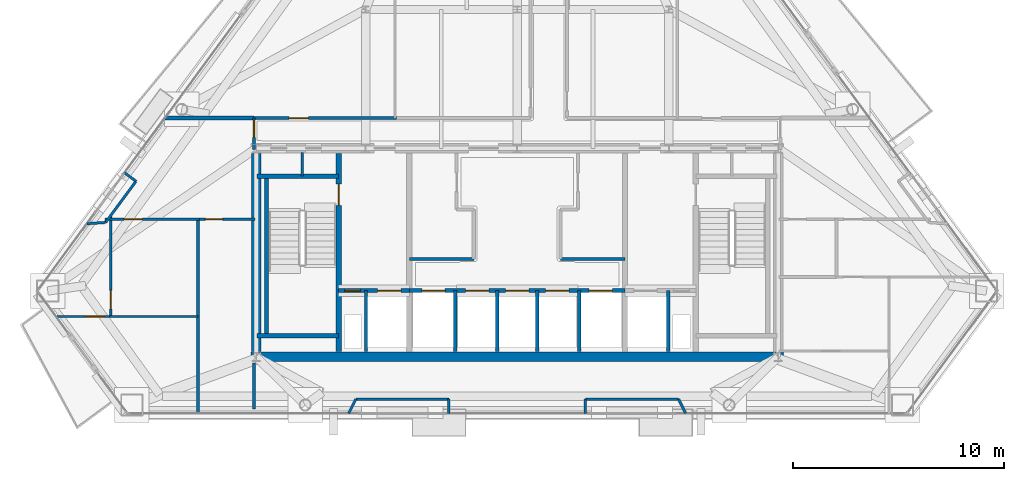
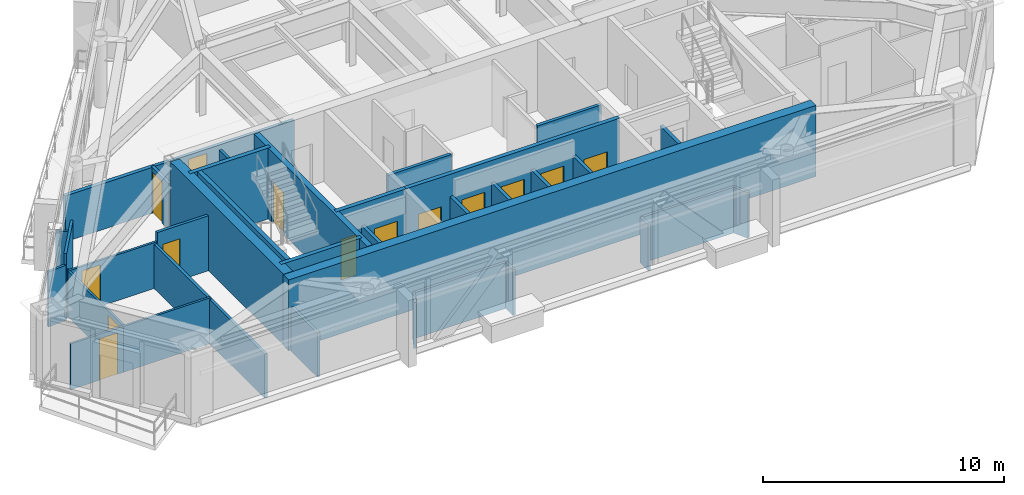
# One storey, part 7 of 12: 36 walls, 14 doors, 14 openings.
"""IFC4 building model written with IfcOpenShell, lengths in metres."""

from ifc_helpers import new_model, si_unit, direction, frame, frame_2d, origin, place, context, subcontext, project, spatial, rectangle, extrude, material, layer, layer_set, type_object, element, fill, save


model = new_model("IFC4")

# Units and contexts
model_context = context("Model", 3, precision=1e-05, world=origin(), true_north=direction((0.0, 1.0)))
body_context = subcontext(model_context, "Body", "Model", "MODEL_VIEW")
ifc_project = project(units=[si_unit("LENGTHUNIT", "METRE"), si_unit("AREAUNIT", "SQUARE_METRE"), si_unit("VOLUMEUNIT", "CUBIC_METRE"), si_unit("PLANEANGLEUNIT", "RADIAN"), si_unit("MASSUNIT", "GRAM", prefix="KILO")], contexts=[model_context])

# Site, building, storey
site_placement = place(None, origin())
site = spatial("IfcSite", under=ifc_project, at=site_placement, CompositionType="ELEMENT")
building_placement = place(site_placement, origin())
building = spatial("IfcBuilding", under=site, at=building_placement, Name="Talgorran Terracotta Tower", CompositionType="ELEMENT")
storey_placement = place(building_placement, frame((0.0, 0.0, 182.10009765625)))
storey = spatial("IfcBuildingStorey", under=building, at=storey_placement, Name="L47", CompositionType="ELEMENT", Elevation=182.10009765625)

# Walls
ifc_material_1 = material(Name="Concrete C50/60", Category="concrete")
ifc_layer_1 = layer(ifc_material_1, 0.199951171875, Name="WT_CORE_200")
ifc_layer_set_1 = layer_set([ifc_layer_1], Name="Concrete C50/60")
wall_type_1 = type_object("IfcWallType", Name="WT_CORE_200", PredefinedType="SOLIDWALL", material=ifc_layer_set_1)
for number, where, z_axis, x_axis, name in (
    (1, (-12.35009765625, -5.52001953125, 0.0), (0.0, 0.0, 1.0), (1.0, 0.0, 0.0), "WL-L47-CW-ST1-N"),
    (2, (-12.35009765625, -13.10009765625, 0.0), (0.0, 0.0, 1.0), (1.0, 0.0, 0.0), "WL-L47-CW-ST1-S"),
):
    element("IfcWall", number, at=place(storey_placement, frame(where, z_axis=z_axis, x_axis=x_axis)), inside=storey, type_object=wall_type_1, Name=name, PredefinedType="SOLIDWALL", context=body_context, shape_type="SweptSolid", body=[
        extrude(rectangle(XDim=3.8701171875, YDim=0.199951171875, at=frame_2d((1.93505859375, 0.0))), origin(), (0.0, 0.0, 1.0), 3.599853515625),
    ])
wall_1_placement = place(storey_placement, frame((-11.89990234375, -13.10009765625, 0.0), z_axis=(0.0, 0.0, 1.0), x_axis=(0.0, 1.0, 0.0)))
element("IfcWall", 3, at=wall_1_placement, inside=storey, type_object=wall_type_1, Name="WL-L47-CW-ST1-W", PredefinedType="SOLIDWALL", context=body_context, shape_type="SweptSolid", body=[
    extrude(rectangle(XDim=7.580078125, YDim=0.199951171875, at=frame_2d((3.7900390625, 0.0))), origin(), (0.0, 0.0, 1.0), 3.599853515625),
])

# Wall, openings, doors
wall_2_placement = place(storey_placement, frame((-8.47998046875, -10.949951171875, 0.0), z_axis=(0.0, 0.0, 1.0), x_axis=(1.0, 0.0, 0.0)))
wall_2 = element("IfcWall", 4, at=wall_2_placement, inside=storey, type_object=wall_type_1, Name="WL-L47-CW-H-SBW", PredefinedType="SOLIDWALL", context=body_context, shape_type="SweptSolid", body=[
    extrude(rectangle(XDim=3.35986328125, YDim=0.199951171875, at=frame_2d((1.679931640625, 0.0))), origin(), (0.0, 0.0, 1.0), 3.599853515625),
])
opening_1_placement = place(wall_2_placement, frame((0.280029296875, 0.0, 0.0)))
opening_1 = element("IfcOpeningElement", 5, at=opening_1_placement, cuts=wall_2, Name="Opening DR-RSW", PredefinedType="OPENING", context=body_context, shape_type="SweptSolid", body=[
    extrude(rectangle(XDim=0.756, YDim=2.054048828125, at=frame_2d((0.375, 1.027099609375))), frame((0.0, 0.10986328125, 0.0), z_axis=(0.0, -1.0, 0.0), x_axis=(1.0, 0.0, 0.0)), (0.0, 0.0, 1.0), 0.219970703125),
])
opening_2_placement = place(wall_2_placement, frame((1.85009765625, 0.0, 0.0)))
opening_2 = element("IfcOpeningElement", 6, at=opening_2_placement, cuts=wall_2, Name="Opening LD-FFL1", PredefinedType="OPENING", context=body_context, shape_type="SweptSolid", body=[
    extrude(rectangle(XDim=1.10609765625, YDim=2.10409765625, at=frame_2d((0.550048828125, 1.052001953125))), frame((0.0, 0.10986328125, 0.0), z_axis=(0.0, -1.0, 0.0), x_axis=(1.0, 0.0, 0.0)), (0.0, 0.0, 1.0), 0.219970703125),
])
ifc_material_2 = material(Name="Brushed Stainless Steel Grade 304", Category="steel")
door_type_1 = type_object("IfcDoorType", Name="DT_LIFT_LD1100", OperationType="DOUBLE_DOOR_SLIDING", PredefinedType="DOOR", material=ifc_material_2)
door_1_placement = place(opening_2_placement, origin())
door_1 = element("IfcDoor", 7, at=door_1_placement, inside=storey, type_object=door_type_1, Name="L47 Lift Landing Door LD-FFL1", OperationType="DOUBLE_DOOR_SLIDING", OverallHeight=2.10009765625, OverallWidth=1.10009765625, PredefinedType="DOOR", context=body_context, shape_type="SweptSolid", body=[
    extrude(rectangle(XDim=1.10009765625, YDim=2.10009765625, at=frame_2d((0.550048828125, 1.050048828125))), frame((0.0, 0.02490234375, 0.0), z_axis=(0.0, -1.0, 0.0), x_axis=(1.0, 0.0, 0.0)), (0.0, 0.0, 1.0), 0.050048828125),
])
fill(opening_2, door_1)
ifc_material_3 = material(Name="Fire-Rated Pressed Steel", Category="steel")
door_type_2 = type_object("IfcDoorType", Name="DT_RISER_750", OperationType="NOTDEFINED", PredefinedType="DOOR", material=ifc_material_3)
door_2_placement = place(opening_1_placement, origin())
door_2 = element("IfcDoor", 8, at=door_2_placement, inside=storey, type_object=door_type_2, Name="DR-RSW", OperationType="SINGLE_SWING_LEFT", OverallHeight=2.050048828125, OverallWidth=0.75, PredefinedType="DOOR", context=body_context, shape_type="SweptSolid", body=[
    extrude(rectangle(XDim=0.75, YDim=2.050048828125, at=frame_2d((0.375, 1.02490234375))), frame((0.0, 0.02490234375, 0.0), z_axis=(0.0, -1.0, 0.0), x_axis=(1.0, 0.0, 0.0)), (0.0, 0.0, 1.0), 0.050048828125),
])
fill(opening_1, door_2)

wall_3_placement = place(storey_placement, frame((-5.1201171875, -10.949951171875, 0.0), z_axis=(0.0, 0.0, 1.0), x_axis=(1.0, 0.0, 0.0)))
wall_3 = element("IfcWall", 9, at=wall_3_placement, inside=storey, type_object=wall_type_1, Name="WL-L47-CW-H-SBC", PredefinedType="SOLIDWALL", context=body_context, shape_type="SweptSolid", body=[
    extrude(rectangle(XDim=10.240234375, YDim=0.199951171875, at=frame_2d((5.1201171875, 0.0))), origin(), (0.0, 0.0, 1.0), 3.599853515625),
])
opening_3_placement = place(wall_3_placement, frame((0.60009765625, 0.0, 0.0)))
opening_3 = element("IfcOpeningElement", 10, at=opening_3_placement, cuts=wall_3, Name="Opening LD-OB1", PredefinedType="OPENING", context=body_context, shape_type="SweptSolid", body=[
    extrude(rectangle(XDim=1.10609765625, YDim=2.10409765625, at=frame_2d((0.550048828125, 1.052001953125))), frame((0.0, 0.10986328125, 0.0), z_axis=(0.0, -1.0, 0.0), x_axis=(1.0, 0.0, 0.0)), (0.0, 0.0, 1.0), 0.219970703125),
])
opening_4_placement = place(wall_3_placement, frame((2.669921875, 0.0, 0.0)))
opening_4 = element("IfcOpeningElement", 11, at=opening_4_placement, cuts=wall_3, Name="Opening LD-PLH1", PredefinedType="OPENING", context=body_context, shape_type="SweptSolid", body=[
    extrude(rectangle(XDim=1.10609765625, YDim=2.10409765625, at=frame_2d((0.550048828125, 1.052001953125))), frame((0.0, 0.10986328125, 0.0), z_axis=(0.0, -1.0, 0.0), x_axis=(1.0, 0.0, 0.0)), (0.0, 0.0, 1.0), 0.219970703125),
])
opening_5_placement = place(wall_3_placement, frame((4.570068359375, 0.0, 0.0)))
opening_5 = element("IfcOpeningElement", 12, at=opening_5_placement, cuts=wall_3, Name="Opening LD-PLH2", PredefinedType="OPENING", context=body_context, shape_type="SweptSolid", body=[
    extrude(rectangle(XDim=1.10609765625, YDim=2.10409765625, at=frame_2d((0.550048828125, 1.052001953125))), frame((0.0, 0.10986328125, 0.0), z_axis=(0.0, -1.0, 0.0), x_axis=(1.0, 0.0, 0.0)), (0.0, 0.0, 1.0), 0.219970703125),
])
opening_6_placement = place(wall_3_placement, frame((6.469970703125, 0.0, 0.0)))
opening_6 = element("IfcOpeningElement", 13, at=opening_6_placement, cuts=wall_3, Name="Opening LD-PLH3", PredefinedType="OPENING", context=body_context, shape_type="SweptSolid", body=[
    extrude(rectangle(XDim=1.10609765625, YDim=2.10409765625, at=frame_2d((0.550048828125, 1.052001953125))), frame((0.0, 0.10986328125, 0.0), z_axis=(0.0, -1.0, 0.0), x_axis=(1.0, 0.0, 0.0)), (0.0, 0.0, 1.0), 0.219970703125),
])
opening_7_placement = place(wall_3_placement, frame((8.5400390625, 0.0, 0.0)))
opening_7 = element("IfcOpeningElement", 14, at=opening_7_placement, cuts=wall_3, Name="Opening LD-SVL1", PredefinedType="OPENING", context=body_context, shape_type="SweptSolid", body=[
    extrude(rectangle(XDim=1.10609765625, YDim=2.10409765625, at=frame_2d((0.550048828125, 1.052001953125))), frame((0.0, 0.10986328125, 0.0), z_axis=(0.0, -1.0, 0.0), x_axis=(1.0, 0.0, 0.0)), (0.0, 0.0, 1.0), 0.219970703125),
])
door_3_placement = place(opening_3_placement, origin())
door_3 = element("IfcDoor", 15, at=door_3_placement, inside=storey, type_object=door_type_1, Name="L47 Lift Landing Door LD-OB1", OperationType="DOUBLE_DOOR_SLIDING", OverallHeight=2.10009765625, OverallWidth=1.10009765625, PredefinedType="DOOR", context=body_context, shape_type="SweptSolid", body=[
    extrude(rectangle(XDim=1.10009765625, YDim=2.10009765625, at=frame_2d((0.550048828125, 1.050048828125))), frame((0.0, 0.02490234375, 0.0), z_axis=(0.0, -1.0, 0.0), x_axis=(1.0, 0.0, 0.0)), (0.0, 0.0, 1.0), 0.050048828125),
])
fill(opening_3, door_3)
door_4_placement = place(opening_4_placement, origin())
door_4 = element("IfcDoor", 16, at=door_4_placement, inside=storey, type_object=door_type_1, Name="L47 Lift Landing Door LD-PLH1", OperationType="DOUBLE_DOOR_SLIDING", OverallHeight=2.10009765625, OverallWidth=1.10009765625, PredefinedType="DOOR", context=body_context, shape_type="SweptSolid", body=[
    extrude(rectangle(XDim=1.10009765625, YDim=2.10009765625, at=frame_2d((0.550048828125, 1.050048828125))), frame((0.0, 0.02490234375, 0.0), z_axis=(0.0, -1.0, 0.0), x_axis=(1.0, 0.0, 0.0)), (0.0, 0.0, 1.0), 0.050048828125),
])
fill(opening_4, door_4)
door_5_placement = place(opening_5_placement, origin())
door_5 = element("IfcDoor", 17, at=door_5_placement, inside=storey, type_object=door_type_1, Name="L47 Lift Landing Door LD-PLH2", OperationType="DOUBLE_DOOR_SLIDING", OverallHeight=2.10009765625, OverallWidth=1.10009765625, PredefinedType="DOOR", context=body_context, shape_type="SweptSolid", body=[
    extrude(rectangle(XDim=1.10009765625, YDim=2.10009765625, at=frame_2d((0.550048828125, 1.050048828125))), frame((0.0, 0.02490234375, 0.0), z_axis=(0.0, -1.0, 0.0), x_axis=(1.0, 0.0, 0.0)), (0.0, 0.0, 1.0), 0.050048828125),
])
fill(opening_5, door_5)
door_6_placement = place(opening_6_placement, origin())
door_6 = element("IfcDoor", 18, at=door_6_placement, inside=storey, type_object=door_type_1, Name="L47 Lift Landing Door LD-PLH3", OperationType="DOUBLE_DOOR_SLIDING", OverallHeight=2.10009765625, OverallWidth=1.10009765625, PredefinedType="DOOR", context=body_context, shape_type="SweptSolid", body=[
    extrude(rectangle(XDim=1.10009765625, YDim=2.10009765625, at=frame_2d((0.550048828125, 1.050048828125))), frame((0.0, 0.02490234375, 0.0), z_axis=(0.0, -1.0, 0.0), x_axis=(1.0, 0.0, 0.0)), (0.0, 0.0, 1.0), 0.050048828125),
])
fill(opening_6, door_6)
door_7_placement = place(opening_7_placement, origin())
door_7 = element("IfcDoor", 19, at=door_7_placement, inside=storey, type_object=door_type_1, Name="L47 Lift Landing Door LD-SVL1", OperationType="DOUBLE_DOOR_SLIDING", OverallHeight=2.10009765625, OverallWidth=1.10009765625, PredefinedType="DOOR", context=body_context, shape_type="SweptSolid", body=[
    extrude(rectangle(XDim=1.10009765625, YDim=2.10009765625, at=frame_2d((0.550048828125, 1.050048828125))), frame((0.0, 0.02490234375, 0.0), z_axis=(0.0, -1.0, 0.0), x_axis=(1.0, 0.0, 0.0)), (0.0, 0.0, 1.0), 0.050048828125),
])
fill(opening_7, door_7)

# Wall, opening, door
ifc_layer_2 = layer(ifc_material_1, 0.25, Name="WT_CORE_250")
ifc_layer_set_2 = layer_set([ifc_layer_2], Name="Concrete C50/60")
wall_type_2 = type_object("IfcWallType", Name="WT_CORE_250", PredefinedType="SHEAR", material=ifc_layer_set_2)
wall_4_placement = place(storey_placement, frame((-8.47998046875, -13.85009765625, 0.0), z_axis=(0.0, 0.0, 1.0), x_axis=(0.0, 1.0, 0.0)))
wall_4 = element("IfcWall", 20, at=wall_4_placement, inside=storey, type_object=wall_type_2, Name="WL-L47-CW-V-W1", PredefinedType="SHEAR", context=body_context, shape_type="SweptSolid", body=[
    extrude(rectangle(XDim=9.400146484375, YDim=0.25, at=frame_2d((4.7001953125, 0.0))), origin(), (0.0, 0.0, 1.0), 3.599853515625),
])
opening_8_placement = place(wall_4_placement, frame((6.949951171875, 0.0, 0.0)))
opening_8 = element("IfcOpeningElement", 21, at=opening_8_placement, cuts=wall_4, Name="Opening DR-ST01", PredefinedType="OPENING", context=body_context, shape_type="SweptSolid", body=[
    extrude(rectangle(XDim=1.006, YDim=2.10409765625, at=frame_2d((0.5, 1.052001953125))), frame((0.0, 0.135009765625, 0.0), z_axis=(0.0, -1.0, 0.0), x_axis=(1.0, 0.0, 0.0)), (0.0, 0.0, 1.0), 0.27001953125),
])
door_type_3 = type_object("IfcDoorType", Name="DT_FIRE_1000", OperationType="NOTDEFINED", PredefinedType="DOOR", material=ifc_material_3)
door_8_placement = place(opening_8_placement, origin())
door_8 = element("IfcDoor", 22, at=door_8_placement, inside=storey, type_object=door_type_3, Name="DR-ST01", OperationType="SINGLE_SWING_LEFT", OverallHeight=2.10009765625, OverallWidth=1.0, PredefinedType="DOOR", context=body_context, shape_type="SweptSolid", body=[
    extrude(rectangle(XDim=1.0, YDim=2.10009765625, at=frame_2d((0.5, 1.050048828125))), frame((0.0, 0.02490234375, 0.0), z_axis=(0.0, -1.0, 0.0), x_axis=(1.0, 0.0, 0.0)), (0.0, 0.0, 1.0), 0.050048828125),
])
fill(opening_8, door_8)

# Walls
ifc_material_4 = material(Name="Concrete C65/80", Category="concrete")
ifc_layer_3 = layer(ifc_material_4, 0.449951171875, Name="WT_CORE_EXT")
ifc_layer_set_3 = layer_set([ifc_layer_3], Name="Concrete C65/80")
wall_type_3 = type_object("IfcWallType", Name="WT_CORE_EXT", PredefinedType="SHEAR", material=ifc_layer_set_3)
wall_5_placement = place(storey_placement, frame((-12.64990234375, -14.10009765625, 0.0), z_axis=(0.0, 0.0, 1.0), x_axis=(1.0, 0.0, 0.0)))
element("IfcWall", 23, at=wall_5_placement, inside=storey, type_object=wall_type_3, Name="WL-L47-CW-OUT-S", PredefinedType="SHEAR", context=body_context, shape_type="SweptSolid", body=[
    extrude(rectangle(XDim=25.2998046875, YDim=0.449951171875, at=frame_2d((12.64990234375, 0.0))), origin(), (0.0, 0.0, 1.0), 3.599853515625),
])
wall_6_placement = place(storey_placement, frame((-12.39990234375, -13.85009765625, 0.0), z_axis=(0.0, 0.0, 1.0), x_axis=(0.0, 1.0, 0.0)))
element("IfcWall", 24, at=wall_6_placement, inside=storey, type_object=wall_type_3, Name="WL-L47-CW-OUT-W", PredefinedType="SHEAR", context=body_context, shape_type="SweptSolid", body=[
    extrude(rectangle(XDim=9.400146484375, YDim=0.449951171875, at=frame_2d((4.7001953125, 0.0))), origin(), (0.0, 0.0, 1.0), 3.599853515625),
])
ifc_material_5 = material(Name="Fire-Rated Steel Stud Plasterboard", Category="steel")
ifc_layer_4 = layer(ifc_material_5, 0.14990234375, Name="WT_FIRE_150")
ifc_layer_set_4 = layer_set([ifc_layer_4], Name="Fire-Rated Steel Stud Plasterboard")
wall_type_4 = type_object("IfcWallType", Name="WT_FIRE_150", PredefinedType="PARTITIONING", material=ifc_layer_set_4)
for number, where, z_axis, x_axis, name in (
    (25, (-5.1201171875, -9.449951171875, 0.0), (0.0, 0.0, 1.0), (1.0, 0.0, 0.0), "WL-L47-CW-H-W4N"),
    (26, (2.06005859375, -9.449951171875, 0.0), (0.0, 0.0, 1.0), (1.0, 0.0, 0.0), "WL-L47-CW-H-E4N"),
):
    element("IfcWall", number, at=place(storey_placement, frame(where, z_axis=z_axis, x_axis=x_axis)), inside=storey, type_object=wall_type_4, Name=name, PredefinedType="PARTITIONING", context=body_context, shape_type="SweptSolid", body=[
        extrude(rectangle(XDim=3.06005859375, YDim=0.14990234375, at=frame_2d((1.530029296875, 0.0))), origin(), (0.0, 0.0, 1.0), 3.349853515625),
    ])

# Wall, opening, door
wall_7_placement = place(storey_placement, frame((-12.5, -2.760009765625, 0.0), z_axis=(0.0, 0.0, 1.0), x_axis=(1.0, 0.0, 0.0)))
wall_7 = element("IfcWall", 27, at=wall_7_placement, inside=storey, type_object=wall_type_4, Name="WL-L47-W-L47-R03", PredefinedType="PARTITIONING", context=body_context, shape_type="SweptSolid", body=[
    extrude(rectangle(XDim=6.760009765625, YDim=0.14990234375, at=frame_2d((3.3798828125, 0.0))), origin(), (0.0, 0.0, 1.0), 2.324951171875),
])
opening_9_placement = place(wall_7_placement, frame((1.674560546875, 0.0, 0.0)))
opening_9 = element("IfcOpeningElement", 28, at=opening_9_placement, cuts=wall_7, Name="Opening DR-L47-R10", PredefinedType="OPENING", context=body_context, shape_type="SweptSolid", body=[
    extrude(rectangle(XDim=0.90590234375, YDim=2.10409765625, at=frame_2d((0.449951171875, 1.052001953125))), frame((0.0, 0.0849609375, 0.0), z_axis=(0.0, -1.0, 0.0), x_axis=(1.0, 0.0, 0.0)), (0.0, 0.0, 1.0), 0.169921875),
])
ifc_material_6 = material(Name="Fire-Rated Timber Core", Category="wood")
door_type_4 = type_object("IfcDoorType", Name="DT_FIRE_900", OperationType="NOTDEFINED", PredefinedType="DOOR", material=ifc_material_6)
door_9_placement = place(opening_9_placement, origin())
door_9 = element("IfcDoor", 29, at=door_9_placement, inside=storey, type_object=door_type_4, Name="DR-L47-R10", OperationType="SINGLE_SWING_RIGHT", OverallHeight=2.10009765625, OverallWidth=0.89990234375, PredefinedType="DOOR", context=body_context, shape_type="SweptSolid", body=[
    extrude(rectangle(XDim=0.89990234375, YDim=2.10009765625, at=frame_2d((0.449951171875, 1.050048828125))), frame((0.0, 0.02490234375, 0.0), z_axis=(0.0, -1.0, 0.0), x_axis=(1.0, 0.0, 0.0)), (0.0, 0.0, 1.0), 0.050048828125),
])
fill(opening_9, door_9)

wall_8_placement = place(storey_placement, frame((-12.5, -4.239990234375, 0.0), z_axis=(0.0, 0.0, 1.0), x_axis=(0.0, 1.0, 0.0)))
wall_8 = element("IfcWall", 30, at=wall_8_placement, inside=storey, type_object=wall_type_4, Name="WL-L47-W-L47-R01", PredefinedType="PARTITIONING", context=body_context, shape_type="SweptSolid", body=[
    extrude(rectangle(XDim=1.47998046875, YDim=0.14990234375, at=frame_2d((0.739990234375, 0.0))), origin(), (0.0, 0.0, 1.0), 2.324951171875),
])
opening_10_placement = place(wall_8_placement, frame((0.56005859375, 0.0, 0.0)))
opening_10 = element("IfcOpeningElement", 31, at=opening_10_placement, cuts=wall_8, Name="Opening DR-L47-R01", PredefinedType="OPENING", context=body_context, shape_type="SweptSolid", body=[
    extrude(rectangle(XDim=0.826068359375, YDim=2.10409765625, at=frame_2d((0.41015625, 1.052001953125))), frame((0.0, 0.0849609375, 0.0), z_axis=(0.0, -1.0, 0.0), x_axis=(1.0, 0.0, 0.0)), (0.0, 0.0, 1.0), 0.169921875),
])
ifc_material_7 = material(Name="Moisture-Resistant Solid Timber", Category="wood")
door_type_5 = type_object("IfcDoorType", Name="DT_INT_820", OperationType="NOTDEFINED", PredefinedType="DOOR", material=ifc_material_7)
door_10_placement = place(opening_10_placement, origin())
door_10 = element("IfcDoor", 32, at=door_10_placement, inside=storey, type_object=door_type_5, Name="DR-L47-R01", OperationType="SINGLE_SWING_LEFT", OverallHeight=2.10009765625, OverallWidth=0.820068359375, PredefinedType="DOOR", context=body_context, shape_type="SweptSolid", body=[
    extrude(rectangle(XDim=0.820068359375, YDim=2.10009765625, at=frame_2d((0.41015625, 1.050048828125))), frame((0.0, 0.02490234375, 0.0), z_axis=(0.0, -1.0, 0.0), x_axis=(1.0, 0.0, 0.0)), (0.0, 0.0, 1.0), 0.050048828125),
])
fill(opening_10, door_10)

# Wall
ifc_material_8 = material(Name="Acoustic Stud and Plasterboard")
ifc_layer_5 = layer(ifc_material_8, 0.179931640625, Name="WT_PARTY_200")
ifc_layer_set_5 = layer_set([ifc_layer_5], Name="Acoustic Stud and Plasterboard")
wall_type_5 = type_object("IfcWallType", Name="WT_PARTY_200", PredefinedType="PARTITIONING", material=ifc_layer_set_5)
wall_9_placement = place(storey_placement, frame((-16.736572265625, -2.760009765625, 0.0), z_axis=(0.0, 0.0, 1.0), x_axis=(1.0, 0.0, 0.0)))
element("IfcWall", 33, at=wall_9_placement, inside=storey, type_object=wall_type_5, Name="WL-L47-W-L47-R15", PredefinedType="PARTITIONING", context=body_context, shape_type="SweptSolid", body=[
    extrude(rectangle(XDim=4.236572265625, YDim=0.179931640625, at=frame_2d((2.1181640625, 0.0))), origin(), (0.0, 0.0, 1.0), 2.324951171875),
])

# Wall, opening, door
ifc_material_9 = material(Name="Lightweight Steel Stud Partition", Category="steel")
ifc_layer_6 = layer(ifc_material_9, 0.10498046875, Name="WT_PART_110")
ifc_layer_set_6 = layer_set([ifc_layer_6], Name="Lightweight Steel Stud Partition")
wall_type_6 = type_object("IfcWallType", Name="WT_PART_110", PredefinedType="PARTITIONING", material=ifc_layer_set_6)
wall_10_placement = place(storey_placement, frame((-19.300048828125, -12.179931640625, 0.0), z_axis=(0.0, 0.0, 1.0), x_axis=(0.0, 1.0, 0.0)))
wall_10 = element("IfcWall", 34, at=wall_10_placement, inside=storey, type_object=wall_type_6, Name="WL-L47-W-L47-R20", PredefinedType="PARTITIONING", context=body_context, shape_type="SweptSolid", body=[
    extrude(rectangle(XDim=4.83984375, YDim=0.10498046875, at=frame_2d((2.419921875, 0.0))), origin(), (0.0, 0.0, 1.0), 2.324951171875),
])
opening_11_placement = place(wall_10_placement, frame((0.358642578125, 0.0, 0.0)))
opening_11 = element("IfcOpeningElement", 35, at=opening_11_placement, cuts=wall_10, Name="Opening DR-L47-R04", PredefinedType="OPENING", context=body_context, shape_type="SweptSolid", body=[
    extrude(rectangle(XDim=0.8858828125, YDim=2.10409765625, at=frame_2d((0.43994140625, 1.052001953125))), frame((0.0, 0.0625, 0.0), z_axis=(0.0, -1.0, 0.0), x_axis=(1.0, 0.0, 0.0)), (0.0, 0.0, 1.0), 0.125),
])
ifc_material_10 = material(Name="Solid-Core Painted Timber", Category="wood")
door_type_6 = type_object("IfcDoorType", Name="DT_INT_880", OperationType="NOTDEFINED", PredefinedType="DOOR", material=ifc_material_10)
door_11_placement = place(opening_11_placement, origin())
door_11 = element("IfcDoor", 36, at=door_11_placement, inside=storey, type_object=door_type_6, Name="DR-L47-R04", OperationType="SINGLE_SWING_RIGHT", OverallHeight=2.10009765625, OverallWidth=0.8798828125, PredefinedType="DOOR", context=body_context, shape_type="SweptSolid", body=[
    extrude(rectangle(XDim=0.8798828125, YDim=2.10009765625, at=frame_2d((0.43994140625, 1.050048828125))), frame((0.0, 0.02490234375, 0.0), z_axis=(0.0, -1.0, 0.0), x_axis=(1.0, 0.0, 0.0)), (0.0, 0.0, 1.0), 0.050048828125),
])
fill(opening_11, door_11)

wall_11_placement = place(storey_placement, frame((-19.580078125, -7.56005859375, 0.0), z_axis=(0.0, 0.0, 1.0), x_axis=(1.0, 0.0, 0.0)))
wall_11 = element("IfcWall", 37, at=wall_11_placement, inside=storey, type_object=wall_type_6, Name="WL-L47-W-L47-R14", PredefinedType="PARTITIONING", context=body_context, shape_type="SweptSolid", body=[
    extrude(rectangle(XDim=4.5, YDim=0.10498046875, at=frame_2d((2.25, 0.0))), origin(), (0.0, 0.0, 1.0), 2.324951171875),
])
opening_12_placement = place(wall_11_placement, frame((0.89990234375, 0.0, 0.0)))
opening_12 = element("IfcOpeningElement", 38, at=opening_12_placement, cuts=wall_11, Name="Opening DR-L47-R19", PredefinedType="OPENING", context=body_context, shape_type="SweptSolid", body=[
    extrude(rectangle(XDim=0.8858828125, YDim=2.10409765625, at=frame_2d((0.43994140625, 1.052001953125))), frame((0.0, 0.0625, 0.0), z_axis=(0.0, -1.0, 0.0), x_axis=(1.0, 0.0, 0.0)), (0.0, 0.0, 1.0), 0.125),
])
door_12_placement = place(opening_12_placement, origin())
door_12 = element("IfcDoor", 39, at=door_12_placement, inside=storey, type_object=door_type_6, Name="DR-L47-R19", OperationType="SINGLE_SWING_LEFT", OverallHeight=2.10009765625, OverallWidth=0.8798828125, PredefinedType="DOOR", context=body_context, shape_type="SweptSolid", body=[
    extrude(rectangle(XDim=0.8798828125, YDim=2.10009765625, at=frame_2d((0.43994140625, 1.050048828125))), frame((0.0, 0.02490234375, 0.0), z_axis=(0.0, -1.0, 0.0), x_axis=(1.0, 0.0, 0.0)), (0.0, 0.0, 1.0), 0.050048828125),
])
fill(opening_12, door_12)

# Wall
wall_12_placement = place(storey_placement, frame((-19.360107421875, -12.179931640625, 0.0), z_axis=(0.0, 0.0, 1.0), x_axis=(1.0, 0.0, 0.0)))
element("IfcWall", 40, at=wall_12_placement, inside=storey, type_object=wall_type_6, Name="WL-L47-W-L47-R19", PredefinedType="PARTITIONING", context=body_context, shape_type="SweptSolid", body=[
    extrude(rectangle(XDim=4.2001953125, YDim=0.10498046875, at=frame_2d((2.10009765625, 0.0))), origin(), (0.0, 0.0, 1.0), 2.324951171875),
])

# Wall, opening, door
wall_13_placement = place(storey_placement, frame((-21.89892578125, -12.179931640625, 0.0), z_axis=(0.0, 0.0, 1.0), x_axis=(1.0, 0.0, 0.0)))
wall_13 = element("IfcWall", 41, at=wall_13_placement, inside=storey, type_object=wall_type_6, Name="WL-L47-W-L47-R18", PredefinedType="PARTITIONING", context=body_context, shape_type="SweptSolid", body=[
    extrude(rectangle(XDim=2.536865234375, YDim=0.10498046875, at=frame_2d((1.2685546875, 0.0))), origin(), (0.0, 0.0, 1.0), 2.324951171875),
])
opening_13_placement = place(wall_13_placement, frame((1.379150390625, 0.0, 0.0)))
opening_13 = element("IfcOpeningElement", 42, at=opening_13_placement, cuts=wall_13, Name="Opening DR-L47-R03", PredefinedType="OPENING", context=body_context, shape_type="SweptSolid", body=[
    extrude(rectangle(XDim=0.8858828125, YDim=2.10409765625, at=frame_2d((0.43994140625, 1.052001953125))), frame((0.0, 0.0625, 0.0), z_axis=(0.0, -1.0, 0.0), x_axis=(1.0, 0.0, 0.0)), (0.0, 0.0, 1.0), 0.125),
])
door_13_placement = place(opening_13_placement, origin())
door_13 = element("IfcDoor", 43, at=door_13_placement, inside=storey, type_object=door_type_6, Name="DR-L47-R03", OperationType="SINGLE_SWING_LEFT", OverallHeight=2.10009765625, OverallWidth=0.8798828125, PredefinedType="DOOR", context=body_context, shape_type="SweptSolid", body=[
    extrude(rectangle(XDim=0.8798828125, YDim=2.10009765625, at=frame_2d((0.43994140625, 1.050048828125))), frame((0.0, 0.02490234375, 0.0), z_axis=(0.0, -1.0, 0.0), x_axis=(1.0, 0.0, 0.0)), (0.0, 0.0, 1.0), 0.050048828125),
])
fill(opening_13, door_13)

# Walls
ifc_material_11 = material(Name="Insulated Steel Stud Plasterboard", Category="steel")
ifc_layer_7 = layer(ifc_material_11, 0.1201171875, Name="WT_PART_120")
ifc_layer_set_7 = layer_set([ifc_layer_7], Name="Insulated Steel Stud Plasterboard")
wall_type_7 = type_object("IfcWallType", Name="WT_PART_120", PredefinedType="PARTITIONING", material=ifc_layer_set_7)
wall_14_placement = place(storey_placement, frame((-10.199951171875, -5.52001953125, 0.0), z_axis=(0.0, 0.0, 1.0), x_axis=(0.0, 1.0, 0.0)))
element("IfcWall", 44, at=wall_14_placement, inside=storey, type_object=wall_type_7, Name="WL-L47-CW-CSW-DIV", PredefinedType="PARTITIONING", context=body_context, shape_type="SweptSolid", body=[
    extrude(rectangle(XDim=1.1201171875, YDim=0.1201171875, at=frame_2d((0.56005859375, 0.0))), origin(), (0.0, 0.0, 1.0), 3.349853515625),
])
for number, where, z_axis, x_axis, name in (
    (45, (-7.663330078125, -16.105712890625, 0.0), (0.0, 0.0, 1.0), (1.0, 0.0, 0.0), "WL-L47-BW-L47-06"),
    (46, (3.2412109375, -16.105712890625, 0.0), (0.0, 0.0, 1.0), (1.0, 0.0, 0.0), "WL-L47-BW-L47-01"),
):
    element("IfcWall", number, at=place(storey_placement, frame(where, z_axis=z_axis, x_axis=x_axis)), inside=storey, type_object=wall_type_7, Name=name, PredefinedType="PARTITIONING", context=body_context, shape_type="SweptSolid", body=[
        extrude(rectangle(XDim=4.422119140625, YDim=0.1201171875, at=frame_2d((2.2109375, 0.0))), origin(), (0.0, 0.0, 1.0), 2.324951171875),
    ])
wall_15_placement = place(storey_placement, frame((-18.101806640625, -5.75732421875, 0.0), z_axis=(0.0, 0.0, 1.0), x_axis=(-0.593582816838, -0.804772911793, 0.0)))
element("IfcWall", 47, at=wall_15_placement, inside=storey, type_object=wall_type_7, Name="WL-L47-BW-L47-08", PredefinedType="PARTITIONING", context=body_context, shape_type="SweptSolid", body=[
    extrude(rectangle(XDim=2.429931640625, YDim=0.1201171875, at=frame_2d((1.21484375, 0.0))), origin(), (0.0, 0.0, 1.0), 3.349853515625),
])
wall_16_placement = place(storey_placement, frame((-19.544189453125, -7.712890625, 0.0), z_axis=(0.0, 0.0, 1.0), x_axis=(-0.997514712132, -0.070458491903, 0.0)))
element("IfcWall", 48, at=wall_16_placement, inside=storey, type_object=wall_type_7, Name="WL-L47-BW-L47-09", PredefinedType="PARTITIONING", context=body_context, shape_type="SweptSolid", body=[
    extrude(rectangle(XDim=0.880126953125, YDim=0.1201171875, at=frame_2d((0.43994140625, 0.0))), origin(), (0.0, 0.0, 1.0), 2.7919921875),
])
for number, where, z_axis, x_axis, name in (
    (49, (7.663330078125, -16.105712890625, 0.0), (0.0, 0.0, 1.0), (0.449555870508, -0.893252214826, 0.0), "WL-L47-BW-L47-02"),
    (50, (-8.00048828125, -16.775634765625, 0.0), (0.0, 0.0, 1.0), (0.449555870508, 0.893252214826, 0.0), "WL-L47-BW-L47-05"),
):
    element("IfcWall", number, at=place(storey_placement, frame(where, z_axis=z_axis, x_axis=x_axis)), inside=storey, type_object=wall_type_7, Name=name, PredefinedType="PARTITIONING", context=body_context, shape_type="SweptSolid", body=[
        extrude(rectangle(XDim=0.75, YDim=0.1201171875, at=frame_2d((0.375, 0.0))), origin(), (0.0, 0.0, 1.0), 2.324951171875),
    ])
wall_17_placement = place(storey_placement, frame((-18.64111328125, -5.359619140625, 0.0), z_axis=(0.0, 0.0, 1.0), x_axis=(0.804826838501, -0.593509696659, 0.0)))
element("IfcWall", 51, at=wall_17_placement, inside=storey, type_object=wall_type_7, Name="WL-L47-BW-L47-07", PredefinedType="PARTITIONING", context=body_context, shape_type="SweptSolid", body=[
    extrude(rectangle(XDim=0.670166015625, YDim=0.1201171875, at=frame_2d((0.3349609375, 0.0))), origin(), (0.0, 0.0, 1.0), 2.7919921875),
])
for number, where, z_axis, x_axis, name in (
    (52, (3.2412109375, -16.775634765625, 0.0), (0.0, 0.0, 1.0), (0.0, 1.0, 0.0), "WL-L47-BW-L47-03"),
    (53, (-3.2412109375, -16.105712890625, 0.0), (0.0, 0.0, 1.0), (0.0, -1.0, 0.0), "WL-L47-BW-L47-04"),
):
    element("IfcWall", number, at=place(storey_placement, frame(where, z_axis=z_axis, x_axis=x_axis)), inside=storey, type_object=wall_type_7, Name=name, PredefinedType="PARTITIONING", context=body_context, shape_type="SweptSolid", body=[
        extrude(rectangle(XDim=0.669921875, YDim=0.1201171875, at=frame_2d((0.3349609375, 0.0))), origin(), (0.0, 0.0, 1.0), 2.324951171875),
    ])
ifc_material_12 = material(Name="Moisture-Resistant Stud Wall")
ifc_layer_8 = layer(ifc_material_12, 0.135009765625, Name="WT_PART_135")
ifc_layer_set_8 = layer_set([ifc_layer_8], Name="Moisture-Resistant Stud Wall")
wall_type_8 = type_object("IfcWallType", Name="WT_PART_135", PredefinedType="PARTITIONING", material=ifc_layer_set_8)
wall_18_placement = place(storey_placement, frame((-15.159912109375, -16.78564453125, 0.0), z_axis=(0.0, 0.0, 1.0), x_axis=(0.0, 1.0, 0.0)))
element("IfcWall", 54, at=wall_18_placement, inside=storey, type_object=wall_type_8, Name="WL-L47-W-L47-R17", PredefinedType="PARTITIONING", context=body_context, shape_type="SweptSolid", body=[
    extrude(rectangle(XDim=9.2255859375, YDim=0.135009765625, at=frame_2d((4.61279296875, 0.0))), origin(), (0.0, 0.0, 1.0), 2.239990234375),
])

# Wall, opening, door
wall_19_placement = place(storey_placement, frame((-15.077880859375, -7.56005859375, 0.0), z_axis=(0.0, 0.0, 1.0), x_axis=(1.0, 0.0, 0.0)))
wall_19 = element("IfcWall", 55, at=wall_19_placement, inside=storey, type_object=wall_type_8, Name="WL-L47-W-L47-R12", PredefinedType="PARTITIONING", context=body_context, shape_type="SweptSolid", body=[
    extrude(rectangle(XDim=2.637939453125, YDim=0.135009765625, at=frame_2d((1.31884765625, 0.0))), origin(), (0.0, 0.0, 1.0), 2.7919921875),
])
opening_14_placement = place(wall_19_placement, frame((0.2705078125, 0.0, 0.0)))
opening_14 = element("IfcOpeningElement", 56, at=opening_14_placement, cuts=wall_19, Name="Opening DR-L47-R02", PredefinedType="OPENING", context=body_context, shape_type="SweptSolid", body=[
    extrude(rectangle(XDim=0.826068359375, YDim=2.10409765625, at=frame_2d((0.41015625, 1.052001953125))), frame((0.0, 0.07763671875, 0.0), z_axis=(0.0, -1.0, 0.0), x_axis=(1.0, 0.0, 0.0)), (0.0, 0.0, 1.0), 0.155029296875),
])
door_14_placement = place(opening_14_placement, origin())
door_14 = element("IfcDoor", 57, at=door_14_placement, inside=storey, type_object=door_type_5, Name="DR-L47-R02", OperationType="SINGLE_SWING_RIGHT", OverallHeight=2.10009765625, OverallWidth=0.820068359375, PredefinedType="DOOR", context=body_context, shape_type="SweptSolid", body=[
    extrude(rectangle(XDim=0.820068359375, YDim=2.10009765625, at=frame_2d((0.41015625, 1.050048828125))), frame((0.0, 0.02490234375, 0.0), z_axis=(0.0, -1.0, 0.0), x_axis=(1.0, 0.0, 0.0)), (0.0, 0.0, 1.0), 0.050048828125),
])
fill(opening_14, door_14)

# Walls
wall_20_placement = place(storey_placement, frame((-12.5, -14.39990234375, 0.0), z_axis=(0.0, 0.0, 1.0), x_axis=(0.0, -1.0, 0.0)))
element("IfcWall", 58, at=wall_20_placement, inside=storey, type_object=wall_type_8, Name="WL-L47-W-L47-R44", PredefinedType="PARTITIONING", context=body_context, shape_type="SweptSolid", body=[
    extrude(rectangle(XDim=2.165771484375, YDim=0.135009765625, at=frame_2d((1.0830078125, 0.0))), origin(), (0.0, 0.0, 1.0), 2.239990234375),
])
ifc_material_13 = material(Name="Fire-Rated Shaftwall")
ifc_layer_9 = layer(ifc_material_13, 0.159912109375, Name="WT_PART_150")
ifc_layer_set_9 = layer_set([ifc_layer_9], Name="Fire-Rated Shaftwall")
wall_type_9 = type_object("IfcWallType", Name="WT_PART_150", PredefinedType="PARTITIONING", material=ifc_layer_set_9)
for number, where, z_axis, x_axis, name in (
    (59, (-7.179931640625, -13.85009765625, 0.0), (0.0, 0.0, 1.0), (0.0, 1.0, 0.0), "WL-L47-CW-RSW"),
    (60, (7.179931640625, -13.85009765625, 0.0), (0.0, 0.0, 1.0), (0.0, 1.0, 0.0), "WL-L47-CW-RSE"),
    (61, (-2.949951171875, -13.85009765625, 0.0), (0.0, 0.0, 1.0), (0.0, 1.0, 0.0), "WL-L47-CW-OB-E"),
    (62, (2.949951171875, -13.85009765625, 0.0), (0.0, 0.0, 1.0), (0.0, 1.0, 0.0), "WL-L47-CW-SV-W"),
    (63, (-0.949951171875, -13.85009765625, 0.0), (0.0, 0.0, 1.0), (0.0, 1.0, 0.0), "WL-L47-CW-PLH-D1"),
    (64, (0.949951171875, -13.85009765625, 0.0), (0.0, 0.0, 1.0), (0.0, 1.0, 0.0), "WL-L47-CW-PLH-D2"),
):
    element("IfcWall", number, at=place(storey_placement, frame(where, z_axis=z_axis, x_axis=x_axis)), inside=storey, type_object=wall_type_9, Name=name, PredefinedType="PARTITIONING", context=body_context, shape_type="SweptSolid", body=[
        extrude(rectangle(XDim=2.900146484375, YDim=0.159912109375, at=frame_2d((1.4501953125, 0.0))), origin(), (0.0, 0.0, 1.0), 2.474853515625),
    ])

save(model, "model.ifc")
